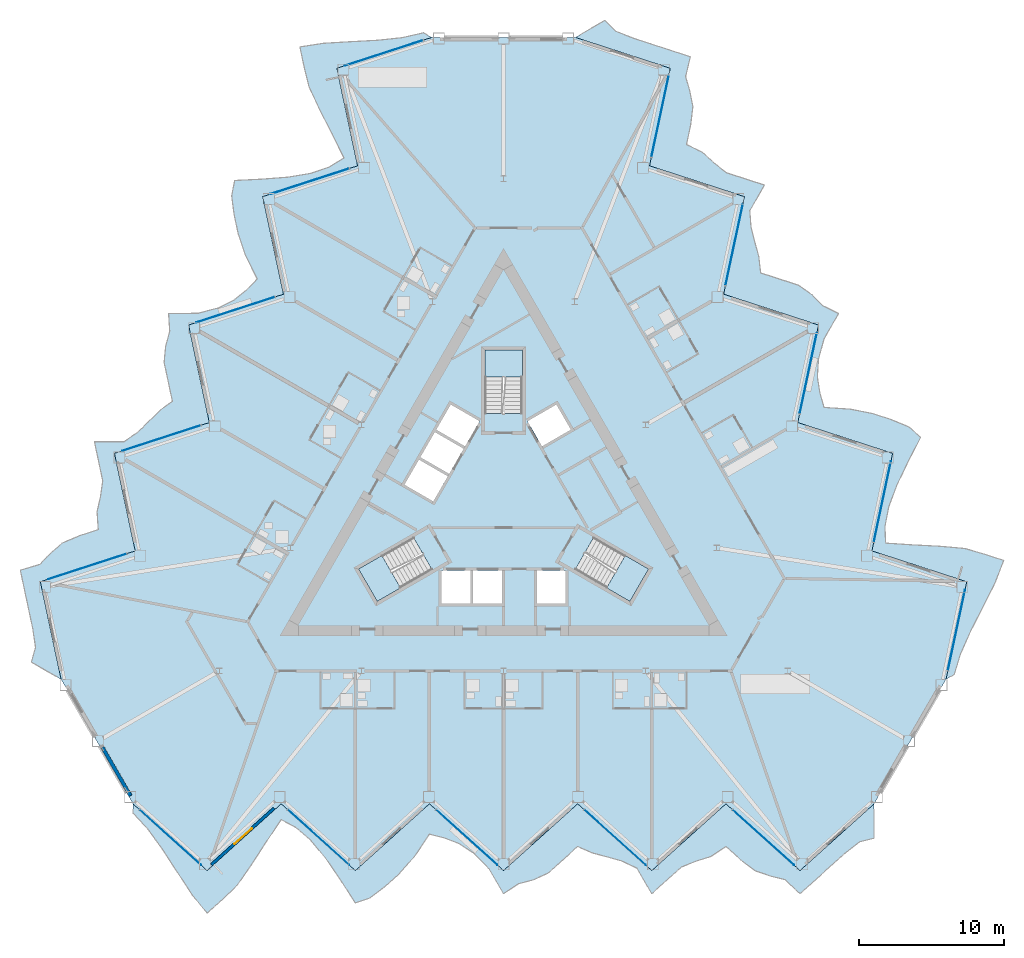
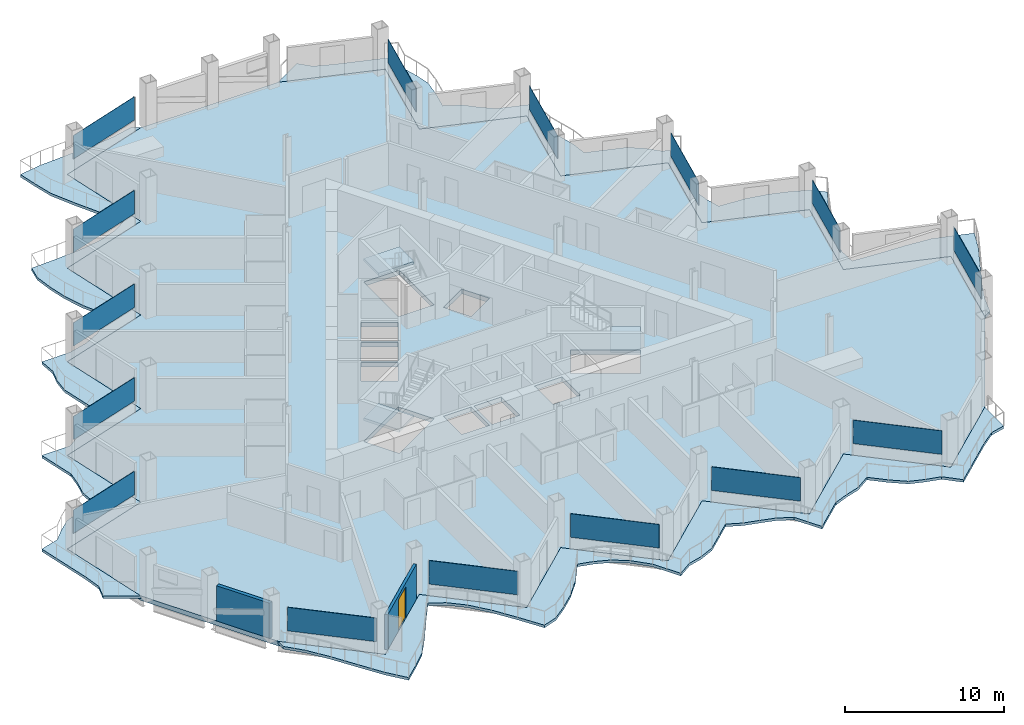
# One storey, part 9 of 23: 15 plates, 7 slabs, 2 walls, 1 door, 1 opening, 18 elements without a shape of their own.
"""IFC4 building model written with IfcOpenShell, lengths in metres."""

from ifc_helpers import new_model, si_unit, direction, frame, frame_2d, origin, origin_2d, place, context, subcontext, project, spatial, polyline, rectangle, outline, extrude, material, layer, layer_set, type_object, element, fill, aggregate, save


model = new_model("IFC4")

# Units and contexts
model_context = context("Model", 3, precision=1e-05, world=origin(), true_north=direction((0.0, 1.0)))
body_context = subcontext(model_context, "Body", "Model", "MODEL_VIEW")
ifc_project = project(units=[si_unit("LENGTHUNIT", "METRE"), si_unit("AREAUNIT", "SQUARE_METRE"), si_unit("VOLUMEUNIT", "CUBIC_METRE"), si_unit("PLANEANGLEUNIT", "RADIAN"), si_unit("MASSUNIT", "GRAM", prefix="KILO")], contexts=[model_context])

# Site, building, storey
site_placement = place(None, origin())
site = spatial("IfcSite", under=ifc_project, at=site_placement, CompositionType="ELEMENT")
building_placement = place(site_placement, origin())
building = spatial("IfcBuilding", under=site, at=building_placement, Name="Cormorant Prow Tower", CompositionType="ELEMENT")
storey_placement = place(building_placement, frame((0.0, 0.0, 187.199951171875)))
storey = spatial("IfcBuildingStorey", under=building, at=storey_placement, Name="L40", CompositionType="ELEMENT", Elevation=187.199951171875)

# Slabs
ifc_material_1 = material(Name="Concrete C40/50", Category="concrete")
ifc_layer_1 = layer(ifc_material_1, 0.199951171875)
ifc_layer_set_1 = layer_set([ifc_layer_1], Name="Concrete C40/50")
slab_type_1 = type_object("IfcSlabType", Name="Balcony slab 200", PredefinedType="FLOOR", material=ifc_layer_set_1)
slab_1_placement = place(storey_placement, frame((0.0, 0.0, -0.199951171875)))
element("IfcSlab", 1, at=slab_1_placement, inside=storey, type_object=slab_type_1, Name="Balcony slab S L40", PredefinedType="FLOOR", context=body_context, shape_type="SweptSolid", body=[
    extrude(outline(polyline([(-25.635498046875, -20.541748046875), (-25.635498046875, -21.191650390625), (-24.610107421875, -22.2939453125), (-23.584716796875, -23.703125), (-22.559326171875, -25.280029296875), (-21.533935546875, -26.837158203125), (-20.508544921875, -28.108154296875), (-19.48291015625, -27.184814453125), (-18.45751953125, -26.20556640625), (-17.43212890625, -24.7490234375), (-16.40673828125, -23.160400390625), (-15.38134765625, -21.63037109375), (-14.35595703125, -22.179443359375), (-13.33056640625, -23.068115234375), (-12.30517578125, -24.306396484375), (-11.279541015625, -25.803955078125), (-10.254150390625, -27.396240234375), (-9.228759765625, -27.045166015625), (-8.203369140625, -26.261474609375), (-7.177978515625, -25.33837890625), (-6.152587890625, -24.17041015625), (-5.127197265625, -22.638671875), (-4.101806640625, -22.897216796875), (-3.076171875, -23.289794921875), (-2.05078125, -23.96826171875), (-1.025390625, -25.0029296875), (0.0, -26.758056640625), (1.025390625, -26.073974609375), (2.05078125, -25.80322265625), (3.076171875, -25.33837890625), (4.101806640625, -24.4150390625), (5.127197265625, -23.49169921875), (6.152587890625, -23.943359375), (7.177978515625, -24.212158203125), (8.203369140625, -24.5029296875), (9.228759765625, -24.99658203125), (10.254150390625, -26.758056640625), (11.279541015625, -25.8349609375), (12.30517578125, -24.91162109375), (13.33056640625, -24.500244140625), (14.35595703125, -24.181884765625), (15.38134765625, -23.49169921875), (16.40673828125, -24.4150390625), (17.43212890625, -25.188232421875), (18.45751953125, -25.53515625), (19.48291015625, -25.789306640625), (20.508544921875, -26.758056640625), (21.533935546875, -25.8349609375), (22.559326171875, -24.91162109375), (23.584716796875, -23.98828125), (24.610107421875, -23.17529296875), (25.635498046875, -22.91650390625), (25.635498046875, -20.541748046875), (24.610107421875, -21.465087890625), (23.584716796875, -22.38818359375), (22.559326171875, -23.3115234375), (21.533935546875, -24.23486328125), (20.508544921875, -25.158203125), (19.48291015625, -24.23486328125), (18.45751953125, -23.3115234375), (17.43212890625, -22.38818359375), (16.40673828125, -21.465087890625), (15.38134765625, -20.541748046875), (14.35595703125, -21.465087890625), (13.33056640625, -22.38818359375), (12.30517578125, -23.3115234375), (11.279541015625, -24.23486328125), (10.254150390625, -25.158203125), (9.228759765625, -24.23486328125), (8.203369140625, -23.3115234375), (7.177978515625, -22.38818359375), (6.152587890625, -21.465087890625), (5.127197265625, -20.541748046875), (4.101806640625, -21.465087890625), (3.076171875, -22.38818359375), (2.05078125, -23.3115234375), (1.025390625, -24.23486328125), (0.0, -25.158203125), (-1.025390625, -24.23486328125), (-2.05078125, -23.3115234375), (-3.076171875, -22.38818359375), (-4.101806640625, -21.465087890625), (-5.127197265625, -20.541748046875), (-6.152587890625, -21.465087890625), (-7.177978515625, -22.38818359375), (-8.203369140625, -23.3115234375), (-9.228759765625, -24.23486328125), (-10.254150390625, -25.158203125), (-11.279541015625, -24.23486328125), (-12.30517578125, -23.3115234375), (-13.33056640625, -22.38818359375), (-14.35595703125, -21.465087890625), (-15.38134765625, -20.541748046875), (-16.40673828125, -21.465087890625), (-17.43212890625, -22.38818359375), (-18.45751953125, -23.3115234375), (-19.48291015625, -24.23486328125), (-20.508544921875, -25.158203125), (-21.533935546875, -24.23486328125), (-22.559326171875, -23.3115234375), (-23.584716796875, -22.38818359375), (-24.610107421875, -21.465087890625), (-25.635498046875, -20.541748046875)])), origin(), (0.0, 0.0, 1.0), 0.199951171875),
])
slab_2_placement = place(storey_placement, frame((0.0, 0.0, -0.199951171875)))
element("IfcSlab", 2, at=slab_2_placement, inside=storey, type_object=slab_type_1, Name="Balcony slab ENE L40", PredefinedType="FLOOR", context=body_context, shape_type="SweptSolid", body=[
    extrude(outline(polyline([(30.607421875, -11.93017578125), (31.17041015625, -11.605224609375), (31.6123046875, -10.166015625), (32.31982421875, -8.5732421875), (33.1728515625, -6.89697265625), (34.008544921875, -5.230224609375), (34.5966796875, -3.706787109375), (33.2841796875, -3.2802734375), (31.923583984375, -2.882080078125), (30.1494140625, -2.72216796875), (28.260986328125, -2.62841796875), (26.423095703125, -2.50537109375), (26.385986328125, -1.3427734375), (26.642822265625, -0.010498046875), (27.202392578125, 1.49658203125), (27.98681640625, 3.133544921875), (28.85302734375, 4.817626953125), (28.0361328125, 5.5302734375), (26.844970703125, 6.0263671875), (25.532470703125, 6.452880859375), (24.008544921875, 6.7568359375), (22.169189453125, 6.879150390625), (21.88037109375, 7.896484375), (21.70751953125, 8.980712890625), (21.782470703125, 10.2080078125), (22.166015625, 11.613525390625), (23.17333984375, 13.379150390625), (22.068115234375, 13.925048828125), (21.32080078125, 14.677734375), (20.405517578125, 15.333251953125), (19.093017578125, 15.759765625), (17.78076171875, 16.18603515625), (17.6591796875, 17.2998046875), (17.37939453125, 18.322509765625), (17.118408203125, 19.355712890625), (17.033447265625, 20.49072265625), (18.046142578125, 22.259521484375), (16.73388671875, 22.685791015625), (15.42138671875, 23.1123046875), (14.552734375, 23.794677734375), (13.76416015625, 24.5234375), (12.65380859375, 25.06640625), (12.940673828125, 26.416259765625), (13.097412109375, 27.69091796875), (12.88525390625, 28.75244140625), (12.5927734375, 29.767578125), (12.9189453125, 31.139892578125), (11.606689453125, 31.56640625), (10.29443359375, 31.99267578125), (8.982177734375, 32.419189453125), (7.765380859375, 32.900634765625), (7.028564453125, 33.6591796875), (4.971923828125, 32.471923828125), (6.2841796875, 32.04541015625), (7.596435546875, 31.619140625), (8.90869140625, 31.192626953125), (10.220947265625, 30.766357421875), (11.533447265625, 30.33984375), (11.24658203125, 28.990234375), (10.959716796875, 27.640625), (10.672607421875, 26.290771484375), (10.3857421875, 24.941162109375), (10.098876953125, 23.591552734375), (11.4111328125, 23.1650390625), (12.7236328125, 22.73876953125), (14.035888671875, 22.312255859375), (15.34814453125, 21.885986328125), (16.660400390625, 21.45947265625), (16.37353515625, 20.10986328125), (16.086669921875, 18.760009765625), (15.7998046875, 17.410400390625), (15.512939453125, 16.060791015625), (15.22607421875, 14.7109375), (16.538330078125, 14.28466796875), (17.8505859375, 13.858154296875), (19.1630859375, 13.431884765625), (20.475341796875, 13.00537109375), (21.78759765625, 12.5791015625), (21.500732421875, 11.2294921875), (21.2138671875, 9.879638671875), (20.927001953125, 8.530029296875), (20.64013671875, 7.180419921875), (20.353271484375, 5.83056640625), (21.66552734375, 5.404296875), (22.977783203125, 4.977783203125), (24.2900390625, 4.551513671875), (25.602294921875, 4.125), (26.914794921875, 3.69873046875), (26.6279296875, 2.348876953125), (26.3408203125, 0.999267578125), (26.053955078125, -0.350341796875), (25.76708984375, -1.7001953125), (25.480224609375, -3.0498046875), (26.79248046875, -3.47607421875), (28.10498046875, -3.902587890625), (29.417236328125, -4.328857421875), (30.7294921875, -4.75537109375), (32.041748046875, -5.181884765625), (31.7548828125, -6.531494140625), (31.468017578125, -7.881103515625), (31.18115234375, -9.230712890625), (30.894287109375, -10.58056640625), (30.607421875, -11.93017578125)])), origin(), (0.0, 0.0, 1.0), 0.199951171875),
])
slab_3_placement = place(storey_placement, frame((0.0, 0.0, -0.199951171875)))
element("IfcSlab", 3, at=slab_3_placement, inside=storey, type_object=slab_type_1, Name="Balcony slab WNW L40", PredefinedType="FLOOR", context=body_context, shape_type="SweptSolid", body=[
    extrude(outline(polyline([(-4.971923828125, 32.471923828125), (-5.53466796875, 32.796875), (-7.002197265625, 32.4599609375), (-8.735107421875, 32.276611328125), (-10.613525390625, 32.177001953125), (-12.474853515625, 32.0673828125), (-14.088134765625, 31.81494140625), (-13.80126953125, 30.46533203125), (-13.4658203125, 29.087646484375), (-12.71728515625, 27.47119140625), (-11.854248046875, 25.788818359375), (-11.041748046875, 24.1357421875), (-12.030029296875, 23.522216796875), (-13.312255859375, 23.07861328125), (-14.8974609375, 22.809814453125), (-16.70703125, 22.67041015625), (-18.598876953125, 22.57861328125), (-18.807373046875, 21.514892578125), (-18.6416015625, 20.235107421875), (-18.3544921875, 18.885498046875), (-17.85595703125, 17.41357421875), (-17.042236328125, 15.759521484375), (-17.77880859375, 15.000732421875), (-18.63134765625, 14.30908203125), (-19.731689453125, 13.76025390625), (-21.140625, 13.3896484375), (-23.17333984375, 13.379150390625), (-23.093505859375, 12.14892578125), (-23.371826171875, 11.12548828125), (-23.481689453125, 10.005126953125), (-23.19482421875, 8.6552734375), (-22.907958984375, 7.3056640625), (-23.811767578125, 6.643310546875), (-24.557373046875, 5.889892578125), (-25.32177734375, 5.147216796875), (-26.26220703125, 4.505859375), (-28.30029296875, 4.49853515625), (-28.013427734375, 3.14892578125), (-27.7265625, 1.79931640625), (-27.883056640625, 0.70556640625), (-28.1201171875, -0.341552734375), (-28.03515625, -1.57470703125), (-29.347412109375, -2.001220703125), (-30.52978515625, -2.502685546875), (-31.3427734375, -3.21728515625), (-32.07568359375, -3.97802734375), (-33.427490234375, -4.3818359375), (-33.140625, -5.7314453125), (-32.853759765625, -7.0810546875), (-32.56689453125, -8.430908203125), (-32.37548828125, -9.725341796875), (-32.6640625, -10.742919921875), (-30.607421875, -11.93017578125), (-30.894287109375, -10.58056640625), (-31.18115234375, -9.230712890625), (-31.468017578125, -7.881103515625), (-31.7548828125, -6.531494140625), (-32.041748046875, -5.181884765625), (-30.7294921875, -4.75537109375), (-29.417236328125, -4.328857421875), (-28.10498046875, -3.902587890625), (-26.79248046875, -3.47607421875), (-25.480224609375, -3.0498046875), (-25.76708984375, -1.7001953125), (-26.053955078125, -0.350341796875), (-26.3408203125, 0.999267578125), (-26.6279296875, 2.348876953125), (-26.914794921875, 3.69873046875), (-25.602294921875, 4.125), (-24.2900390625, 4.551513671875), (-22.977783203125, 4.977783203125), (-21.66552734375, 5.404296875), (-20.353271484375, 5.83056640625), (-20.64013671875, 7.180419921875), (-20.927001953125, 8.530029296875), (-21.2138671875, 9.879638671875), (-21.500732421875, 11.2294921875), (-21.78759765625, 12.5791015625), (-20.475341796875, 13.00537109375), (-19.1630859375, 13.431884765625), (-17.8505859375, 13.858154296875), (-16.538330078125, 14.28466796875), (-15.22607421875, 14.7109375), (-15.512939453125, 16.060791015625), (-15.7998046875, 17.410400390625), (-16.086669921875, 18.760009765625), (-16.37353515625, 20.10986328125), (-16.660400390625, 21.45947265625), (-15.34814453125, 21.885986328125), (-14.035888671875, 22.312255859375), (-12.7236328125, 22.73876953125), (-11.4111328125, 23.1650390625), (-10.098876953125, 23.591552734375), (-10.3857421875, 24.941162109375), (-10.672607421875, 26.290771484375), (-10.959716796875, 27.640625), (-11.24658203125, 28.990234375), (-11.533447265625, 30.33984375), (-10.220947265625, 30.766357421875), (-8.90869140625, 31.192626953125), (-7.596435546875, 31.619140625), (-6.2841796875, 32.04541015625), (-4.971923828125, 32.471923828125)])), origin(), (0.0, 0.0, 1.0), 0.199951171875),
])

# Curtain wall, plate
ifc_material_2 = material(Name="Aluminium 6063-T6", Category="aluminium")
ifc_layer_2 = layer(ifc_material_2, 0.179931640625)
ifc_layer_set_2 = layer_set([ifc_layer_2], Name="Aluminium 6063-T6")
curtain_wall_type = type_object("IfcCurtainWallType", Name="Hotel unitised curtain wall 180", PredefinedType="NOTDEFINED", material=ifc_layer_set_2)
curtain_wall_1_placement = place(storey_placement, origin())
curtain_wall_1 = element("IfcCurtainWall", 4, at=curtain_wall_1_placement, inside=storey, type_object=curtain_wall_type, Name="Hotel curtain wall S00", PredefinedType="NOTDEFINED")
ifc_material_3 = material(Name="Clear glass", Category="glass")
ifc_layer_3 = layer(ifc_material_3, 0.028076171875)
ifc_layer_set_3 = layer_set([ifc_layer_3], Name="Clear glass")
plate_type = type_object("IfcPlateType", Name="Hotel glass panel 28", PredefinedType="CURTAIN_PANEL", material=ifc_layer_set_3)
plate_1_placement = place(storey_placement, frame((-23.0498046875, -22.869873046875, 0.900146484375), z_axis=(0.0, 0.0, 1.0), x_axis=(0.743144780819, -0.669130655957, 0.0)))
plate_1 = element("IfcPlate", 5, at=plate_1_placement, type_object=plate_type, Name="Hotel glass panel S00", PredefinedType="CURTAIN_PANEL", context=body_context, shape_type="SweptSolid", body=[
    extrude(rectangle(XDim=5.703125, YDim=0.028076171875, at=origin_2d()), origin(), (0.0, 0.0, 1.0), 1.80078125),
])
aggregate(curtain_wall_1, [plate_1])

curtain_wall_2_placement = place(storey_placement, origin())
curtain_wall_2 = element("IfcCurtainWall", 6, at=curtain_wall_2_placement, inside=storey, type_object=curtain_wall_type, Name="Hotel curtain wall S02", PredefinedType="NOTDEFINED")
plate_2_placement = place(storey_placement, frame((-12.79541015625, -22.869873046875, 0.900146484375), z_axis=(0.0, 0.0, 1.0), x_axis=(0.743144845716, -0.669130583881, 0.0)))
plate_2 = element("IfcPlate", 7, at=plate_2_placement, type_object=plate_type, Name="Hotel glass panel S02", PredefinedType="CURTAIN_PANEL", context=body_context, shape_type="SweptSolid", body=[
    extrude(rectangle(XDim=5.703125, YDim=0.028076171875, at=origin_2d()), origin(), (0.0, 0.0, 1.0), 1.80078125),
])
aggregate(curtain_wall_2, [plate_2])

curtain_wall_3_placement = place(storey_placement, origin())
curtain_wall_3 = element("IfcCurtainWall", 8, at=curtain_wall_3_placement, inside=storey, type_object=curtain_wall_type, Name="Hotel curtain wall S04", PredefinedType="NOTDEFINED")
plate_3_placement = place(storey_placement, frame((-2.541259765625, -22.869873046875, 0.900146484375), z_axis=(0.0, 0.0, 1.0), x_axis=(0.743144845716, -0.669130583881, 0.0)))
plate_3 = element("IfcPlate", 9, at=plate_3_placement, type_object=plate_type, Name="Hotel glass panel S04", PredefinedType="CURTAIN_PANEL", context=body_context, shape_type="SweptSolid", body=[
    extrude(rectangle(XDim=5.703125, YDim=0.028076171875, at=origin_2d()), origin(), (0.0, 0.0, 1.0), 1.80078125),
])
aggregate(curtain_wall_3, [plate_3])

curtain_wall_4_placement = place(storey_placement, origin())
curtain_wall_4 = element("IfcCurtainWall", 10, at=curtain_wall_4_placement, inside=storey, type_object=curtain_wall_type, Name="Hotel curtain wall S06", PredefinedType="NOTDEFINED")
plate_4_placement = place(storey_placement, frame((7.712890625, -22.869873046875, 0.900146484375), z_axis=(0.0, 0.0, 1.0), x_axis=(0.743144780819, -0.669130655957, 0.0)))
plate_4 = element("IfcPlate", 11, at=plate_4_placement, type_object=plate_type, Name="Hotel glass panel S06", PredefinedType="CURTAIN_PANEL", context=body_context, shape_type="SweptSolid", body=[
    extrude(rectangle(XDim=5.703125, YDim=0.028076171875, at=origin_2d()), origin(), (0.0, 0.0, 1.0), 1.80078125),
])
aggregate(curtain_wall_4, [plate_4])

curtain_wall_5_placement = place(storey_placement, origin())
curtain_wall_5 = element("IfcCurtainWall", 12, at=curtain_wall_5_placement, inside=storey, type_object=curtain_wall_type, Name="Hotel curtain wall S08", PredefinedType="NOTDEFINED")
plate_5_placement = place(storey_placement, frame((17.96728515625, -22.869873046875, 0.900146484375), z_axis=(0.0, 0.0, 1.0), x_axis=(0.743144845716, -0.669130583881, 0.0)))
plate_5 = element("IfcPlate", 13, at=plate_5_placement, type_object=plate_type, Name="Hotel glass panel S08", PredefinedType="CURTAIN_PANEL", context=body_context, shape_type="SweptSolid", body=[
    extrude(rectangle(XDim=5.703125, YDim=0.028076171875, at=origin_2d()), origin(), (0.0, 0.0, 1.0), 1.80078125),
])
aggregate(curtain_wall_5, [plate_5])

curtain_wall_6_placement = place(storey_placement, origin())
curtain_wall_6 = element("IfcCurtainWall", 14, at=curtain_wall_6_placement, inside=storey, type_object=curtain_wall_type, Name="Hotel curtain wall ENE00", PredefinedType="NOTDEFINED")
plate_6_placement = place(storey_placement, frame((31.330810546875, -8.526611328125, 0.900146484375), z_axis=(0.0, 0.0, 1.0), x_axis=(0.207911733685, 0.978147591622, 0.0)))
plate_6 = element("IfcPlate", 15, at=plate_6_placement, type_object=plate_type, Name="Hotel glass panel ENE00", PredefinedType="CURTAIN_PANEL", context=body_context, shape_type="SweptSolid", body=[
    extrude(rectangle(XDim=5.703125, YDim=0.028076171875, at=origin_2d()), origin(), (0.0, 0.0, 1.0), 1.80078125),
])
aggregate(curtain_wall_6, [plate_6])

curtain_wall_7_placement = place(storey_placement, origin())
curtain_wall_7 = element("IfcCurtainWall", 16, at=curtain_wall_7_placement, inside=storey, type_object=curtain_wall_type, Name="Hotel curtain wall ENE02", PredefinedType="NOTDEFINED")
plate_7_placement = place(storey_placement, frame((26.20361328125, 0.353759765625, 0.900146484375), z_axis=(0.0, 0.0, 1.0), x_axis=(0.207911594993, 0.978147621102, 0.0)))
plate_7 = element("IfcPlate", 17, at=plate_7_placement, type_object=plate_type, Name="Hotel glass panel ENE02", PredefinedType="CURTAIN_PANEL", context=body_context, shape_type="SweptSolid", body=[
    extrude(rectangle(XDim=5.703125, YDim=0.028076171875, at=origin_2d()), origin(), (0.0, 0.0, 1.0), 1.80078125),
])
aggregate(curtain_wall_7, [plate_7])

curtain_wall_8_placement = place(storey_placement, origin())
curtain_wall_8 = element("IfcCurtainWall", 18, at=curtain_wall_8_placement, inside=storey, type_object=curtain_wall_type, Name="Hotel curtain wall ENE04", PredefinedType="NOTDEFINED")
plate_8_placement = place(storey_placement, frame((21.07666015625, 9.234130859375, 0.900146484375), z_axis=(0.0, 0.0, 1.0), x_axis=(0.207911763151, 0.978147585359, 0.0)))
plate_8 = element("IfcPlate", 19, at=plate_8_placement, type_object=plate_type, Name="Hotel glass panel ENE04", PredefinedType="CURTAIN_PANEL", context=body_context, shape_type="SweptSolid", body=[
    extrude(rectangle(XDim=5.703125, YDim=0.028076171875, at=origin_2d()), origin(), (0.0, 0.0, 1.0), 1.80078125),
])
aggregate(curtain_wall_8, [plate_8])

curtain_wall_9_placement = place(storey_placement, origin())
curtain_wall_9 = element("IfcCurtainWall", 20, at=curtain_wall_9_placement, inside=storey, type_object=curtain_wall_type, Name="Hotel curtain wall ENE06", PredefinedType="NOTDEFINED")
plate_9_placement = place(storey_placement, frame((15.949462890625, 18.114501953125, 0.900146484375), z_axis=(0.0, 0.0, 1.0), x_axis=(0.207911763151, 0.978147585359, 0.0)))
plate_9 = element("IfcPlate", 21, at=plate_9_placement, type_object=plate_type, Name="Hotel glass panel ENE06", PredefinedType="CURTAIN_PANEL", context=body_context, shape_type="SweptSolid", body=[
    extrude(rectangle(XDim=5.703125, YDim=0.028076171875, at=origin_2d()), origin(), (0.0, 0.0, 1.0), 1.80078125),
])
aggregate(curtain_wall_9, [plate_9])

curtain_wall_10_placement = place(storey_placement, origin())
curtain_wall_10 = element("IfcCurtainWall", 22, at=curtain_wall_10_placement, inside=storey, type_object=curtain_wall_type, Name="Hotel curtain wall ENE08", PredefinedType="NOTDEFINED")
plate_10_placement = place(storey_placement, frame((10.822509765625, 26.9951171875, 0.900146484375), z_axis=(0.0, 0.0, 1.0), x_axis=(0.207911594993, 0.978147621102, 0.0)))
plate_10 = element("IfcPlate", 23, at=plate_10_placement, type_object=plate_type, Name="Hotel glass panel ENE08", PredefinedType="CURTAIN_PANEL", context=body_context, shape_type="SweptSolid", body=[
    extrude(rectangle(XDim=5.703125, YDim=0.028076171875, at=origin_2d()), origin(), (0.0, 0.0, 1.0), 1.80078125),
])
aggregate(curtain_wall_10, [plate_10])

curtain_wall_11_placement = place(storey_placement, origin())
curtain_wall_11 = element("IfcCurtainWall", 24, at=curtain_wall_11_placement, inside=storey, type_object=curtain_wall_type, Name="Hotel curtain wall WNW00", PredefinedType="NOTDEFINED")
plate_11_placement = place(storey_placement, frame((-8.28125, 31.396728515625, 0.900146484375), z_axis=(0.0, 0.0, 1.0), x_axis=(-0.951056527314, -0.309016960463, 0.0)))
plate_11 = element("IfcPlate", 25, at=plate_11_placement, type_object=plate_type, Name="Hotel glass panel WNW00", PredefinedType="CURTAIN_PANEL", context=body_context, shape_type="SweptSolid", body=[
    extrude(rectangle(XDim=5.703125, YDim=0.028076171875, at=origin_2d()), origin(), (0.0, 0.0, 1.0), 1.80078125),
])
aggregate(curtain_wall_11, [plate_11])

curtain_wall_12_placement = place(storey_placement, origin())
curtain_wall_12 = element("IfcCurtainWall", 26, at=curtain_wall_12_placement, inside=storey, type_object=curtain_wall_type, Name="Hotel curtain wall WNW02", PredefinedType="NOTDEFINED")
plate_12_placement = place(storey_placement, frame((-13.408203125, 22.51611328125, 0.900146484375), z_axis=(0.0, 0.0, 1.0), x_axis=(-0.951056527314, -0.309016960463, 0.0)))
plate_12 = element("IfcPlate", 27, at=plate_12_placement, type_object=plate_type, Name="Hotel glass panel WNW02", PredefinedType="CURTAIN_PANEL", context=body_context, shape_type="SweptSolid", body=[
    extrude(rectangle(XDim=5.703125, YDim=0.028076171875, at=origin_2d()), origin(), (0.0, 0.0, 1.0), 1.80078125),
])
aggregate(curtain_wall_12, [plate_12])

curtain_wall_13_placement = place(storey_placement, origin())
curtain_wall_13 = element("IfcCurtainWall", 28, at=curtain_wall_13_placement, inside=storey, type_object=curtain_wall_type, Name="Hotel curtain wall WNW04", PredefinedType="NOTDEFINED")
plate_13_placement = place(storey_placement, frame((-18.535400390625, 13.6357421875, 0.900146484375), z_axis=(0.0, 0.0, 1.0), x_axis=(-0.951056498556, -0.309017048969, 0.0)))
plate_13 = element("IfcPlate", 29, at=plate_13_placement, type_object=plate_type, Name="Hotel glass panel WNW04", PredefinedType="CURTAIN_PANEL", context=body_context, shape_type="SweptSolid", body=[
    extrude(rectangle(XDim=5.703125, YDim=0.028076171875, at=origin_2d()), origin(), (0.0, 0.0, 1.0), 1.80078125),
])
aggregate(curtain_wall_13, [plate_13])

curtain_wall_14_placement = place(storey_placement, origin())
curtain_wall_14 = element("IfcCurtainWall", 30, at=curtain_wall_14_placement, inside=storey, type_object=curtain_wall_type, Name="Hotel curtain wall WNW06", PredefinedType="NOTDEFINED")
plate_14_placement = place(storey_placement, frame((-23.662353515625, 4.75537109375, 0.900146484375), z_axis=(0.0, 0.0, 1.0), x_axis=(-0.951056527314, -0.309016960463, 0.0)))
plate_14 = element("IfcPlate", 31, at=plate_14_placement, type_object=plate_type, Name="Hotel glass panel WNW06", PredefinedType="CURTAIN_PANEL", context=body_context, shape_type="SweptSolid", body=[
    extrude(rectangle(XDim=5.703125, YDim=0.028076171875, at=origin_2d()), origin(), (0.0, 0.0, 1.0), 1.80078125),
])
aggregate(curtain_wall_14, [plate_14])

curtain_wall_15_placement = place(storey_placement, origin())
curtain_wall_15 = element("IfcCurtainWall", 32, at=curtain_wall_15_placement, inside=storey, type_object=curtain_wall_type, Name="Hotel curtain wall WNW08", PredefinedType="NOTDEFINED")
plate_15_placement = place(storey_placement, frame((-28.78955078125, -4.125, 0.900146484375), z_axis=(0.0, 0.0, 1.0), x_axis=(-0.951056527314, -0.309016960463, 0.0)))
plate_15 = element("IfcPlate", 33, at=plate_15_placement, type_object=plate_type, Name="Hotel glass panel WNW08", PredefinedType="CURTAIN_PANEL", context=body_context, shape_type="SweptSolid", body=[
    extrude(rectangle(XDim=5.703125, YDim=0.028076171875, at=origin_2d()), origin(), (0.0, 0.0, 1.0), 1.80078125),
])
aggregate(curtain_wall_15, [plate_15])

# Slab
ifc_material_4 = material(Name="Concrete C40/50", Category="concrete")
ifc_layer_4 = layer(ifc_material_4, 0.35009765625)
ifc_layer_set_4 = layer_set([ifc_layer_4], Name="Concrete C40/50")
slab_type_2 = type_object("IfcSlabType", Name="Post-tensioned flat slab 350", PredefinedType="FLOOR", material=ifc_layer_set_4)
slab_4_placement = place(storey_placement, frame((0.0, 0.0, -0.349853515625)))
element("IfcSlab", 34, at=slab_4_placement, inside=storey, type_object=slab_type_2, Name="Floor slab L40", PredefinedType="FLOOR", context=body_context, shape_type="SweptSolid", body=[
    extrude(outline(polyline([(-10.098876953125, 23.591552734375), (-16.660400390625, 21.45947265625), (-15.22607421875, 14.7109375), (-21.78759765625, 12.5791015625), (-20.353271484375, 5.83056640625), (-26.914794921875, 3.69873046875), (-25.480224609375, -3.0498046875), (-32.041748046875, -5.181884765625), (-30.607421875, -11.93017578125), (-28.12158203125, -16.23583984375), (-25.635498046875, -20.541748046875), (-20.508544921875, -25.158203125), (-15.38134765625, -20.541748046875), (-10.254150390625, -25.158203125), (-5.127197265625, -20.541748046875), (0.0, -25.158203125), (5.127197265625, -20.541748046875), (10.254150390625, -25.158203125), (15.38134765625, -20.541748046875), (20.508544921875, -25.158203125), (25.635498046875, -20.541748046875), (28.12158203125, -16.23583984375), (30.607421875, -11.93017578125), (32.041748046875, -5.181884765625), (25.480224609375, -3.0498046875), (26.914794921875, 3.69873046875), (20.353271484375, 5.83056640625), (21.78759765625, 12.5791015625), (15.22607421875, 14.7109375), (16.660400390625, 21.45947265625), (10.098876953125, 23.591552734375), (11.533447265625, 30.33984375), (4.971923828125, 32.471923828125), (0.0, 32.471923828125), (-4.971923828125, 32.471923828125), (-11.533447265625, 30.33984375), (-10.098876953125, 23.591552734375)]), holes=[polyline([(-4.300048828125, -4.39990234375), (-2.300048828125, -4.39990234375), (-2.300048828125, -6.699951171875), (-4.300048828125, -6.699951171875), (-4.300048828125, -4.39990234375)]), polyline([(-0.10009765625, -4.39990234375), (-0.10009765625, -6.699951171875), (-2.10009765625, -6.699951171875), (-2.10009765625, -4.39990234375), (-0.10009765625, -4.39990234375)]), polyline([(4.300048828125, -6.699951171875), (2.300048828125, -6.699951171875), (2.300048828125, -4.39990234375), (4.300048828125, -4.39990234375), (4.300048828125, -6.699951171875)]), polyline([(4.65234375, 5.341796875), (2.660400390625, 4.19189453125), (1.660400390625, 5.923828125), (3.65234375, 7.073974609375), (4.65234375, 5.341796875)]), polyline([(-1.660400390625, 5.923828125), (-2.660400390625, 4.19189453125), (-4.65234375, 5.341796875), (-3.65234375, 7.073974609375), (-1.660400390625, 5.923828125)]), polyline([(-3.760498046875, 2.28662109375), (-5.75244140625, 3.4365234375), (-4.75244140625, 5.168701171875), (-2.760498046875, 4.018798828125), (-3.760498046875, 2.28662109375)]), polyline([(-6.852294921875, 1.53125), (-5.852294921875, 3.263427734375), (-3.860595703125, 2.11328125), (-4.860595703125, 0.38134765625), (-6.852294921875, 1.53125)]), polyline([(-4.947509765625, -4.3505859375), (-8.738037109375, -6.5390625), (-10.031982421875, -4.2978515625), (-6.241455078125, -2.109375), (-4.947509765625, -4.3505859375)]), polyline([(10.031982421875, -4.2978515625), (8.738037109375, -6.5390625), (4.947509765625, -4.3505859375), (6.241455078125, -2.109375), (10.031982421875, -4.2978515625)]), polyline([(1.2939453125, 10.8369140625), (1.2939453125, 6.459716796875), (-1.2939453125, 6.459716796875), (-1.2939453125, 10.8369140625), (1.2939453125, 10.8369140625)])]), origin(), (0.0, 0.0, 1.0), 0.349853515625),
])

# Stair, slab
ifc_material_5 = material(Name="Exit stair 20 risers")
stair_type = type_object("IfcStairType", Name="Exit stair 20 risers", PredefinedType="HALF_TURN_STAIR", material=ifc_material_5)
stair_1_placement = place(storey_placement, origin())
stair_1 = element("IfcStair", 35, at=stair_1_placement, inside=storey, type_object=stair_type, Name="L40 Exit stair ST1", PredefinedType="HALF_TURN_STAIR")
ifc_material_6 = material(Name="Concrete 5000 psi", Category="concrete")
ifc_layer_5 = layer(ifc_material_6, 0.199951171875)
ifc_layer_set_5 = layer_set([ifc_layer_5], Name="Concrete 5000 psi")
slab_type_3 = type_object("IfcSlabType", Name="Stair landing 200", PredefinedType="LANDING", material=ifc_layer_set_5)
slab_5_placement = place(storey_placement, frame((0.0, 0.0, 1.60009765625)))
slab_5 = element("IfcSlab", 36, at=slab_5_placement, type_object=slab_type_3, Name="ST1 landing 1", PredefinedType="LANDING", context=body_context, shape_type="SweptSolid", body=[
    extrude(outline(polyline([(-8.416748046875, -3.365234375), (-10.031982421875, -4.2978515625), (-8.738037109375, -6.5390625), (-7.122802734375, -5.6064453125), (-8.416748046875, -3.365234375)])), origin(), (0.0, 0.0, 1.0), 0.199951171875),
])
aggregate(stair_1, [slab_5])

stair_2_placement = place(storey_placement, origin())
stair_2 = element("IfcStair", 37, at=stair_2_placement, inside=storey, type_object=stair_type, Name="L40 Exit stair ST2", PredefinedType="HALF_TURN_STAIR")
slab_6_placement = place(storey_placement, frame((0.0, 0.0, 1.60009765625)))
slab_6 = element("IfcSlab", 38, at=slab_6_placement, type_object=slab_type_3, Name="ST2 landing 1", PredefinedType="LANDING", context=body_context, shape_type="SweptSolid", body=[
    extrude(outline(polyline([(7.122802734375, -5.6064453125), (8.738037109375, -6.5390625), (10.031982421875, -4.2978515625), (8.416748046875, -3.365234375), (7.122802734375, -5.6064453125)])), origin(), (0.0, 0.0, 1.0), 0.199951171875),
])
aggregate(stair_2, [slab_6])

stair_3_placement = place(storey_placement, origin())
stair_3 = element("IfcStair", 39, at=stair_3_placement, inside=storey, type_object=stair_type, Name="L40 Exit stair ST3", PredefinedType="HALF_TURN_STAIR")
slab_7_placement = place(storey_placement, frame((0.0, 0.0, 1.60009765625)))
slab_7 = element("IfcSlab", 40, at=slab_7_placement, type_object=slab_type_3, Name="ST3 landing 1", PredefinedType="LANDING", context=body_context, shape_type="SweptSolid", body=[
    extrude(outline(polyline([(1.2939453125, 8.971923828125), (1.2939453125, 10.8369140625), (-1.2939453125, 10.8369140625), (-1.2939453125, 8.971923828125), (1.2939453125, 8.971923828125)])), origin(), (0.0, 0.0, 1.0), 0.199951171875),
])
aggregate(stair_3, [slab_7])

# Wall
ifc_material_7 = material(Name="Terracotta", Category="masonry")
ifc_layer_6 = layer(ifc_material_7, 0.25)
ifc_layer_set_6 = layer_set([ifc_layer_6], Name="Terracotta")
wall_type_1 = type_object("IfcWallType", Name="Terracotta bay wall 250", PredefinedType="SOLIDWALL", material=ifc_layer_set_6)
wall_1_placement = place(storey_placement, frame((-27.745361328125, -16.63720703125, 0.0), z_axis=(0.0, 0.0, 1.0), x_axis=(0.499981047344, -0.866036345829, 0.0)))
element("IfcWall", 41, at=wall_1_placement, inside=storey, type_object=wall_type_1, Name="Terracotta bay wall WSW01", PredefinedType="SOLIDWALL", context=body_context, shape_type="SweptSolid", body=[
    extrude(rectangle(XDim=3.868408203125, YDim=0.25, at=frame_2d((1.93408203125, 0.0))), origin(), (0.0, 0.0, 1.0), 2.700927734375),
])

# Wall, opening, door
ifc_material_8 = material(Name="Terracotta", Category="masonry")
ifc_layer_7 = layer(ifc_material_8, 0.199951171875)
ifc_layer_set_7 = layer_set([ifc_layer_7], Name="Terracotta")
wall_type_2 = type_object("IfcWallType", Name="Terracotta jamb wall 200", PredefinedType="SOLIDWALL", material=ifc_layer_set_7)
wall_2_placement = place(storey_placement, frame((-20.205322265625, -24.750732421875, 0.0), z_axis=(0.0, 0.0, 1.0), x_axis=(0.743135964011, 0.669140447883, 0.0)))
wall_2 = element("IfcWall", 42, at=wall_2_placement, inside=storey, type_object=wall_type_2, Name="Terracotta jamb wall S01", PredefinedType="SOLIDWALL", context=body_context, shape_type="SweptSolid", body=[
    extrude(rectangle(XDim=5.833251953125, YDim=0.199951171875, at=frame_2d((2.91650390625, 0.0))), origin(), (0.0, 0.0, 1.0), 2.700927734375),
])
opening_placement = place(wall_2_placement, frame((2.151611328125, 0.0, 0.0)))
opening = element("IfcOpeningElement", 43, at=opening_placement, cuts=wall_2, Name="Opening ED40.01", PredefinedType="OPENING", context=body_context, shape_type="SweptSolid", body=[
    extrude(rectangle(XDim=1.60009765625, YDim=2.39990234375, at=frame_2d((0.800048828125, 1.199951171875))), frame((0.0, 0.10986328125, 0.0), z_axis=(0.0, -1.0, 0.0), x_axis=(1.0, 0.0, 0.0)), (0.0, 0.0, 1.0), 0.219970703125),
])
ifc_material_9 = material(Name="Aluminium 6063-T6", Category="aluminium")
door_type = type_object("IfcDoorType", Name="Balcony door 1600x2400", OperationType="DOUBLE_DOOR_SINGLE_SWING", PredefinedType="DOOR", material=ifc_material_9)
door_placement = place(opening_placement, origin())
door = element("IfcDoor", 44, at=door_placement, inside=storey, type_object=door_type, Name="Balcony door S01 ED40.01", OperationType="DOUBLE_DOOR_SINGLE_SWING", OverallHeight=2.39990234375, OverallWidth=1.60009765625, PredefinedType="DOOR", context=body_context, shape_type="SweptSolid", body=[
    extrude(rectangle(XDim=1.60009765625, YDim=2.39990234375, at=frame_2d((0.800048828125, 1.199951171875))), frame((0.0, 0.02490234375, 0.0), z_axis=(0.0, -1.0, 0.0), x_axis=(1.0, 0.0, 0.0)), (0.0, 0.0, 1.0), 0.050048828125),
])
fill(opening, door)

save(model, "model.ifc")
